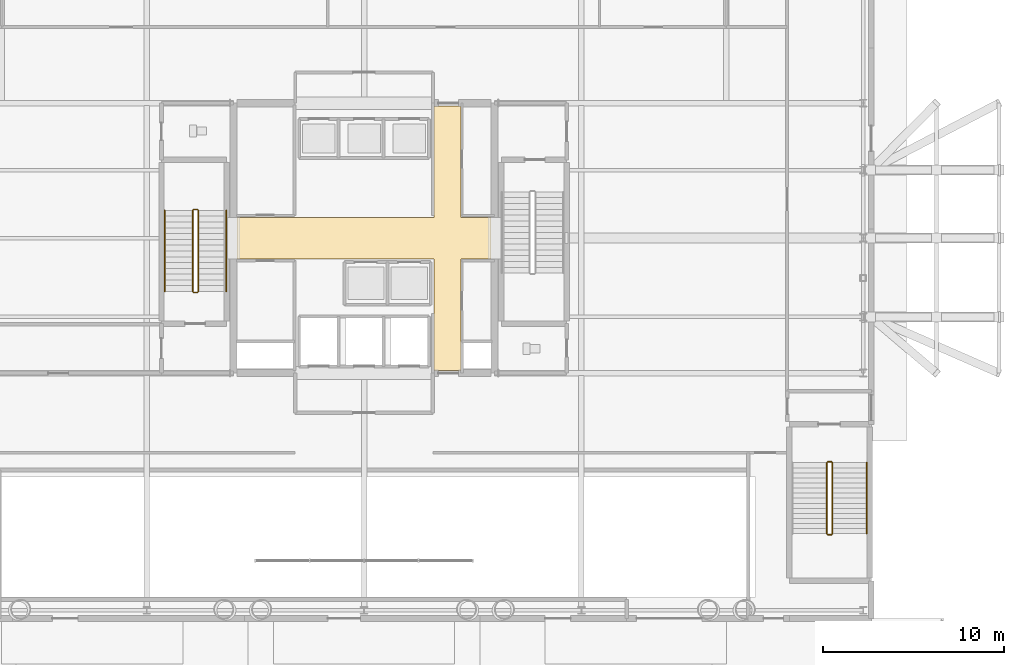
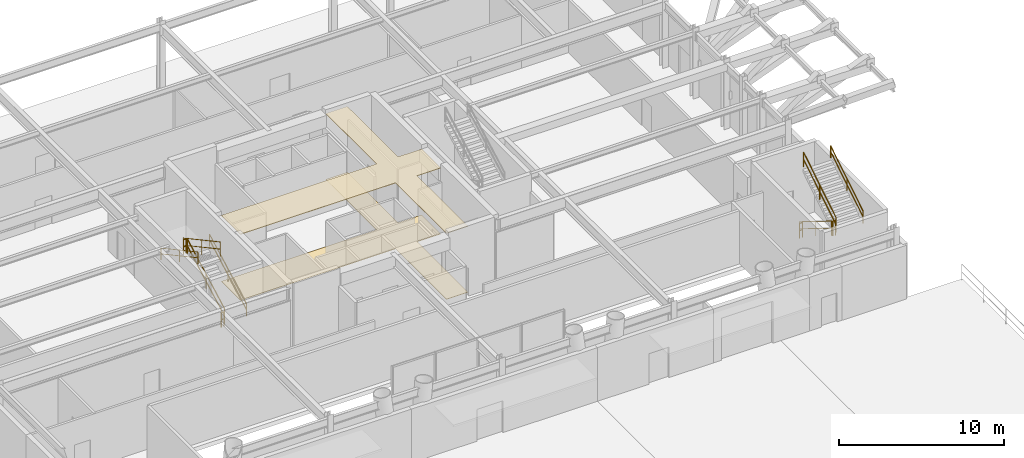
# One storey, part 16 of 19: 11 railings, 2 coverings.
"""IFC4 building model written with IfcOpenShell, lengths in metres."""

from ifc_helpers import new_model, si_unit, direction, frame, origin, origin_2d, place, context, subcontext, project, spatial, polyline, circle, outline, extrude, material, layer, layer_set, type_object, element, save


model = new_model("IFC4")

# Units and contexts
model_context = context("Model", 3, precision=1e-05, world=origin(), true_north=direction((0.0, 1.0)))
body_context = subcontext(model_context, "Body", "Model", "MODEL_VIEW")
ifc_project = project(units=[si_unit("LENGTHUNIT", "METRE"), si_unit("AREAUNIT", "SQUARE_METRE"), si_unit("VOLUMEUNIT", "CUBIC_METRE"), si_unit("PLANEANGLEUNIT", "RADIAN"), si_unit("MASSUNIT", "GRAM", prefix="KILO")], contexts=[model_context])

# Site, building, storey
site_placement = place(None, origin())
site = spatial("IfcSite", under=ifc_project, at=site_placement, CompositionType="ELEMENT")
building_placement = place(site_placement, origin())
building = spatial("IfcBuilding", under=site, at=building_placement, Name="Veldorina Hangang Commons", CompositionType="ELEMENT")
storey_placement = place(building_placement, origin())
storey = spatial("IfcBuildingStorey", under=building, at=storey_placement, Name="L00", CompositionType="ELEMENT", Elevation=0.0)

# Coverings
ifc_material_1 = material(Name="Mineral Fibre Acoustic Tile", Category="gypsum")
ifc_layer_1 = layer(ifc_material_1, 0.0400390625)
ifc_layer_set_1 = layer_set([ifc_layer_1], Name="Mineral Fibre Acoustic Tile")
covering_type_1 = type_object("IfcCoveringType", Name="COV-CEIL-AC60", PredefinedType="CEILING", material=ifc_layer_set_1)
covering_1_placement = place(storey_placement, frame((0.0, 0.0, 4.860107421875)))
element("IfcCovering", 1, at=covering_1_placement, inside=storey, type_object=covering_type_1, Name="L00 lobby suspended acoustic ceiling", PredefinedType="CEILING", context=body_context, shape_type="SweptSolid", body=[
    extrude(outline(polyline([(25.0, 22.85009765625), (35.85009765625, 22.85009765625), (35.85009765625, 16.699951171875), (37.35009765625, 16.699951171875), (37.35009765625, 22.85009765625), (39.0, 22.85009765625), (39.0, 25.14990234375), (37.35009765625, 25.14990234375), (37.35009765625, 31.300048828125), (35.85009765625, 31.300048828125), (35.85009765625, 25.14990234375), (25.0, 25.14990234375), (25.0, 22.85009765625)])), origin(), (0.0, 0.0, 1.0), 0.039794921875),
])
ifc_material_2 = material(Name="Stone Venetian Terrazzo", Category="masonry")
ifc_layer_2 = layer(ifc_material_2, 0.030029296875)
ifc_layer_set_2 = layer_set([ifc_layer_2], Name="Stone Venetian Terrazzo")
covering_type_2 = type_object("IfcCoveringType", Name="COV-FLR-TERZ", PredefinedType="FLOORING", material=ifc_layer_set_2)
covering_2_placement = place(storey_placement, origin())
element("IfcCovering", 2, at=covering_2_placement, inside=storey, type_object=covering_type_2, Name="L00 lobby terrazzo floor finish", PredefinedType="FLOORING", context=body_context, shape_type="SweptSolid", body=[
    extrude(outline(polyline([(25.0, 22.85009765625), (35.85009765625, 22.85009765625), (35.85009765625, 16.699951171875), (37.35009765625, 16.699951171875), (37.35009765625, 22.85009765625), (39.0, 22.85009765625), (39.0, 25.14990234375), (37.35009765625, 25.14990234375), (37.35009765625, 31.300048828125), (35.85009765625, 31.300048828125), (35.85009765625, 25.14990234375), (25.0, 25.14990234375), (25.0, 22.85009765625)])), origin(), (0.0, 0.0, 1.0), 0.030029296875),
])

# Railings
ifc_material_3 = material(Name="Steel Painted Balustrade", Category="steel")
railing_type_1 = type_object("IfcRailingType", Name="RL-GRD-STAIR", PredefinedType="GUARDRAIL", material=ifc_material_3)
railing_1_placement = place(storey_placement, frame((22.85009765625, 21.050048828125, 0.17333984375)))
element("IfcRailing", 3, at=railing_1_placement, inside=storey, type_object=railing_type_1, Name="L00 ST-1 stair guard 1", PredefinedType="GUARDRAIL", context=body_context, shape_type="SweptSolid", body=[
    extrude(circle(Radius=0.02392578125, at=origin_2d()), frame((0.0, 0.0, 1.076171875), z_axis=(0.0, 0.879283604982, 0.476298584933), x_axis=(-1.0, 0.0, 0.0)), (0.0, 0.0, 1.0), 5.094970703125),
    extrude(circle(Radius=0.02392578125, at=origin_2d()), frame((0.0, 0.0, 0.550048828125), z_axis=(0.0, 0.879283604982, 0.476298584933), x_axis=(-1.0, 0.0, 0.0)), (0.0, 0.0, 1.0), 5.094970703125),
    extrude(circle(Radius=0.02099609375, at=origin_2d()), origin(), (0.0, 0.0, 1.0), 1.052001953125),
    extrude(circle(Radius=0.02099609375, at=origin_2d()), frame((0.0, 2.239990234375, 1.21337890625)), (0.0, 0.0, 1.0), 1.052001953125),
    extrude(circle(Radius=0.02099609375, at=origin_2d()), frame((0.0, 4.47998046875, 2.4267578125)), (0.0, 0.0, 1.0), 1.052001953125),
])
railing_2_placement = place(storey_placement, frame((22.800048828125, 25.580078125, 2.60009765625)))
element("IfcRailing", 4, at=railing_2_placement, inside=storey, type_object=railing_type_1, Name="L00 ST-1 stair guard 2", PredefinedType="GUARDRAIL", context=body_context, shape_type="SweptSolid", body=[
    extrude(circle(Radius=0.02392578125, at=origin_2d()), frame((0.0, 0.0, 1.076171875), z_axis=(-1.0, 0.0, 0.0), x_axis=(0.0, -1.0, 0.0)), (0.0, 0.0, 1.0), 0.199951171875),
    extrude(circle(Radius=0.02392578125, at=origin_2d()), frame((0.0, 0.0, 0.550048828125), z_axis=(-1.0, 0.0, 0.0), x_axis=(0.0, -1.0, 0.0)), (0.0, 0.0, 1.0), 0.199951171875),
    extrude(circle(Radius=0.02099609375, at=origin_2d()), origin(), (0.0, 0.0, 1.0), 1.052001953125),
    extrude(circle(Radius=0.02099609375, at=origin_2d()), frame((-0.199951171875, 0.0, 0.0)), (0.0, 0.0, 1.0), 1.052001953125),
])
railing_3_placement = place(storey_placement, frame((22.550048828125, 25.530029296875, 2.7734375)))
element("IfcRailing", 5, at=railing_3_placement, inside=storey, type_object=railing_type_1, Name="L00 ST-1 stair guard 3", PredefinedType="GUARDRAIL", context=body_context, shape_type="SweptSolid", body=[
    extrude(circle(Radius=0.02392578125, at=origin_2d()), frame((0.0, 0.0, 1.076171875), z_axis=(0.0, -0.879303672525, 0.476261536852), x_axis=(1.0, 0.0, 0.0)), (0.0, 0.0, 1.0), 5.094970703125),
    extrude(circle(Radius=0.02392578125, at=origin_2d()), frame((0.0, 0.0, 0.550048828125), z_axis=(0.0, -0.879303672525, 0.476261536852), x_axis=(1.0, 0.0, 0.0)), (0.0, 0.0, 1.0), 5.094970703125),
    extrude(circle(Radius=0.02099609375, at=origin_2d()), origin(), (0.0, 0.0, 1.0), 1.052001953125),
    extrude(circle(Radius=0.02099609375, at=origin_2d()), frame((0.0, -2.239990234375, 1.21337890625)), (0.0, 0.0, 1.0), 1.052001953125),
    extrude(circle(Radius=0.02099609375, at=origin_2d()), frame((0.0, -4.47998046875, 2.426513671875)), (0.0, 0.0, 1.0), 1.052001953125),
])
railing_4_placement = place(storey_placement, frame((22.800048828125, 21.0, 0.0)))
element("IfcRailing", 6, at=railing_4_placement, inside=storey, type_object=railing_type_1, Name="L00 ST-1 stair guard 4", PredefinedType="GUARDRAIL", context=body_context, shape_type="SweptSolid", body=[
    extrude(circle(Radius=0.02392578125, at=origin_2d()), frame((0.0, 0.0, 1.076171875), z_axis=(-1.0, 0.0, 0.0), x_axis=(0.0, -1.0, 0.0)), (0.0, 0.0, 1.0), 0.199951171875),
    extrude(circle(Radius=0.02392578125, at=origin_2d()), frame((0.0, 0.0, 0.550048828125), z_axis=(-1.0, 0.0, 0.0), x_axis=(0.0, -1.0, 0.0)), (0.0, 0.0, 1.0), 0.199951171875),
    extrude(circle(Radius=0.02099609375, at=origin_2d()), origin(), (0.0, 0.0, 1.0), 1.052001953125),
    extrude(circle(Radius=0.02099609375, at=origin_2d()), frame((-0.199951171875, 0.0, 0.0)), (0.0, 0.0, 1.0), 1.052001953125),
])
railing_5_placement = place(storey_placement, frame((57.550048828125, 11.60009765625, 0.17333984375)))
element("IfcRailing", 7, at=railing_5_placement, inside=storey, type_object=railing_type_1, Name="L00 ST-P2 stair guard 1", PredefinedType="GUARDRAIL", context=body_context, shape_type="SweptSolid", body=[
    extrude(circle(Radius=0.02392578125, at=origin_2d()), frame((0.0, 0.0, 1.076171875), z_axis=(0.0, -0.850266275192, 0.526352791643), x_axis=(1.0, 0.0, 0.0)), (0.0, 0.0, 1.0), 4.610595703125),
    extrude(circle(Radius=0.02392578125, at=origin_2d()), frame((0.0, 0.0, 0.550048828125), z_axis=(0.0, -0.850266275192, 0.526352791643), x_axis=(1.0, 0.0, 0.0)), (0.0, 0.0, 1.0), 4.610595703125),
    extrude(circle(Radius=0.02099609375, at=origin_2d()), origin(), (0.0, 0.0, 1.0), 1.052001953125),
    extrude(circle(Radius=0.02099609375, at=origin_2d()), frame((0.0, -1.9599609375, 1.21337890625)), (0.0, 0.0, 1.0), 1.052001953125),
    extrude(circle(Radius=0.02099609375, at=origin_2d()), frame((0.0, -3.920166015625, 2.4267578125)), (0.0, 0.0, 1.0), 1.052001953125),
])
railing_6_placement = place(storey_placement, frame((57.60009765625, 7.6298828125, 2.60009765625)))
element("IfcRailing", 8, at=railing_6_placement, inside=storey, type_object=railing_type_1, Name="L00 ST-P2 stair guard 2", PredefinedType="GUARDRAIL", context=body_context, shape_type="SweptSolid", body=[
    extrude(circle(Radius=0.02392578125, at=origin_2d()), frame((0.0, 0.0, 1.076171875), z_axis=(1.0, 0.0, 0.0), x_axis=(0.0, 1.0, 0.0)), (0.0, 0.0, 1.0), 0.199951171875),
    extrude(circle(Radius=0.02392578125, at=origin_2d()), frame((0.0, 0.0, 0.550048828125), z_axis=(1.0, 0.0, 0.0), x_axis=(0.0, 1.0, 0.0)), (0.0, 0.0, 1.0), 0.199951171875),
    extrude(circle(Radius=0.02099609375, at=origin_2d()), origin(), (0.0, 0.0, 1.0), 1.052001953125),
    extrude(circle(Radius=0.02099609375, at=origin_2d()), frame((0.199951171875, 0.0, 0.0)), (0.0, 0.0, 1.0), 1.052001953125),
])
railing_7_placement = place(storey_placement, frame((57.85009765625, 7.679931640625, 2.7734375)))
element("IfcRailing", 9, at=railing_7_placement, inside=storey, type_object=railing_type_1, Name="L00 ST-P2 stair guard 3", PredefinedType="GUARDRAIL", context=body_context, shape_type="SweptSolid", body=[
    extrude(circle(Radius=0.02392578125, at=origin_2d()), frame((0.0, 0.0, 1.076171875), z_axis=(0.0, 0.850289973577, 0.526314507528), x_axis=(-1.0, 0.0, 0.0)), (0.0, 0.0, 1.0), 4.6103515625),
    extrude(circle(Radius=0.02392578125, at=origin_2d()), frame((0.0, 0.0, 0.550048828125), z_axis=(0.0, 0.850289973577, 0.526314507528), x_axis=(-1.0, 0.0, 0.0)), (0.0, 0.0, 1.0), 4.6103515625),
    extrude(circle(Radius=0.02099609375, at=origin_2d()), origin(), (0.0, 0.0, 1.0), 1.052001953125),
    extrude(circle(Radius=0.02099609375, at=origin_2d()), frame((0.0, 1.9599609375, 1.21337890625)), (0.0, 0.0, 1.0), 1.052001953125),
    extrude(circle(Radius=0.02099609375, at=origin_2d()), frame((0.0, 3.920166015625, 2.426513671875)), (0.0, 0.0, 1.0), 1.052001953125),
])
railing_8_placement = place(storey_placement, frame((57.60009765625, 11.64990234375, 0.0)))
element("IfcRailing", 10, at=railing_8_placement, inside=storey, type_object=railing_type_1, Name="L00 ST-P2 stair guard 4", PredefinedType="GUARDRAIL", context=body_context, shape_type="SweptSolid", body=[
    extrude(circle(Radius=0.02392578125, at=origin_2d()), frame((0.0, 0.0, 1.076171875), z_axis=(1.0, 0.0, 0.0), x_axis=(0.0, 1.0, 0.0)), (0.0, 0.0, 1.0), 0.199951171875),
    extrude(circle(Radius=0.02392578125, at=origin_2d()), frame((0.0, 0.0, 0.550048828125), z_axis=(1.0, 0.0, 0.0), x_axis=(0.0, 1.0, 0.0)), (0.0, 0.0, 1.0), 0.199951171875),
    extrude(circle(Radius=0.02099609375, at=origin_2d()), origin(), (0.0, 0.0, 1.0), 1.052001953125),
    extrude(circle(Radius=0.02099609375, at=origin_2d()), frame((0.199951171875, 0.0, 0.0)), (0.0, 0.0, 1.0), 1.052001953125),
])
ifc_material_4 = material(Name="Stainless Steel Brushed 316", Category="steel")
railing_type_2 = type_object("IfcRailingType", Name="RL-HND-STAIR", PredefinedType="HANDRAIL", material=ifc_material_4)
railing_9_placement = place(storey_placement, frame((24.39990234375, 21.050048828125, 0.17333984375)))
element("IfcRailing", 11, at=railing_9_placement, inside=storey, type_object=railing_type_2, Name="L00 ST-1 stair handrail 1", PredefinedType="HANDRAIL", context=body_context, shape_type="SweptSolid", body=[
    extrude(circle(Radius=0.02392578125, at=origin_2d()), frame((0.0, 0.0, 0.8759765625), z_axis=(0.0, 0.879283604982, 0.476298584933), x_axis=(-1.0, 0.0, 0.0)), (0.0, 0.0, 1.0), 5.094970703125),
    extrude(circle(Radius=0.02392578125, at=origin_2d()), frame((0.0, 0.0, 0.449951171875), z_axis=(0.0, 0.879283604982, 0.476298584933), x_axis=(-1.0, 0.0, 0.0)), (0.0, 0.0, 1.0), 5.094970703125),
    extrude(circle(Radius=0.02099609375, at=origin_2d()), origin(), (0.0, 0.0, 1.0), 0.851806640625),
    extrude(circle(Radius=0.02099609375, at=origin_2d()), frame((0.0, 2.239990234375, 1.21337890625)), (0.0, 0.0, 1.0), 0.851806640625),
    extrude(circle(Radius=0.02099609375, at=origin_2d()), frame((0.0, 4.47998046875, 2.4267578125)), (0.0, 0.0, 1.0), 0.851806640625),
])
railing_10_placement = place(storey_placement, frame((21.0, 25.530029296875, 2.7734375)))
element("IfcRailing", 12, at=railing_10_placement, inside=storey, type_object=railing_type_2, Name="L00 ST-1 stair handrail 2", PredefinedType="HANDRAIL", context=body_context, shape_type="SweptSolid", body=[
    extrude(circle(Radius=0.02392578125, at=origin_2d()), frame((0.0, 0.0, 0.8759765625), z_axis=(0.0, -0.879303672525, 0.476261536852), x_axis=(1.0, 0.0, 0.0)), (0.0, 0.0, 1.0), 5.094970703125),
    extrude(circle(Radius=0.02392578125, at=origin_2d()), frame((0.0, 0.0, 0.449951171875), z_axis=(0.0, -0.879303672525, 0.476261536852), x_axis=(1.0, 0.0, 0.0)), (0.0, 0.0, 1.0), 5.094970703125),
    extrude(circle(Radius=0.02099609375, at=origin_2d()), origin(), (0.0, 0.0, 1.0), 0.851806640625),
    extrude(circle(Radius=0.02099609375, at=origin_2d()), frame((0.0, -2.239990234375, 1.21337890625)), (0.0, 0.0, 1.0), 0.851806640625),
    extrude(circle(Radius=0.02099609375, at=origin_2d()), frame((0.0, -4.47998046875, 2.426513671875)), (0.0, 0.0, 1.0), 0.851806640625),
])
railing_11_placement = place(storey_placement, frame((59.75, 7.679931640625, 2.7734375)))
element("IfcRailing", 13, at=railing_11_placement, inside=storey, type_object=railing_type_2, Name="L00 ST-P2 stair handrail 2", PredefinedType="HANDRAIL", context=body_context, shape_type="SweptSolid", body=[
    extrude(circle(Radius=0.02392578125, at=origin_2d()), frame((0.0, 0.0, 0.8759765625), z_axis=(0.0, 0.850289973577, 0.526314507528), x_axis=(-1.0, 0.0, 0.0)), (0.0, 0.0, 1.0), 4.6103515625),
    extrude(circle(Radius=0.02392578125, at=origin_2d()), frame((0.0, 0.0, 0.449951171875), z_axis=(0.0, 0.850289973577, 0.526314507528), x_axis=(-1.0, 0.0, 0.0)), (0.0, 0.0, 1.0), 4.6103515625),
    extrude(circle(Radius=0.02099609375, at=origin_2d()), origin(), (0.0, 0.0, 1.0), 0.851806640625),
    extrude(circle(Radius=0.02099609375, at=origin_2d()), frame((0.0, 1.9599609375, 1.21337890625)), (0.0, 0.0, 1.0), 0.851806640625),
    extrude(circle(Radius=0.02099609375, at=origin_2d()), frame((0.0, 3.920166015625, 2.426513671875)), (0.0, 0.0, 1.0), 0.851806640625),
])

save(model, "model.ifc")
